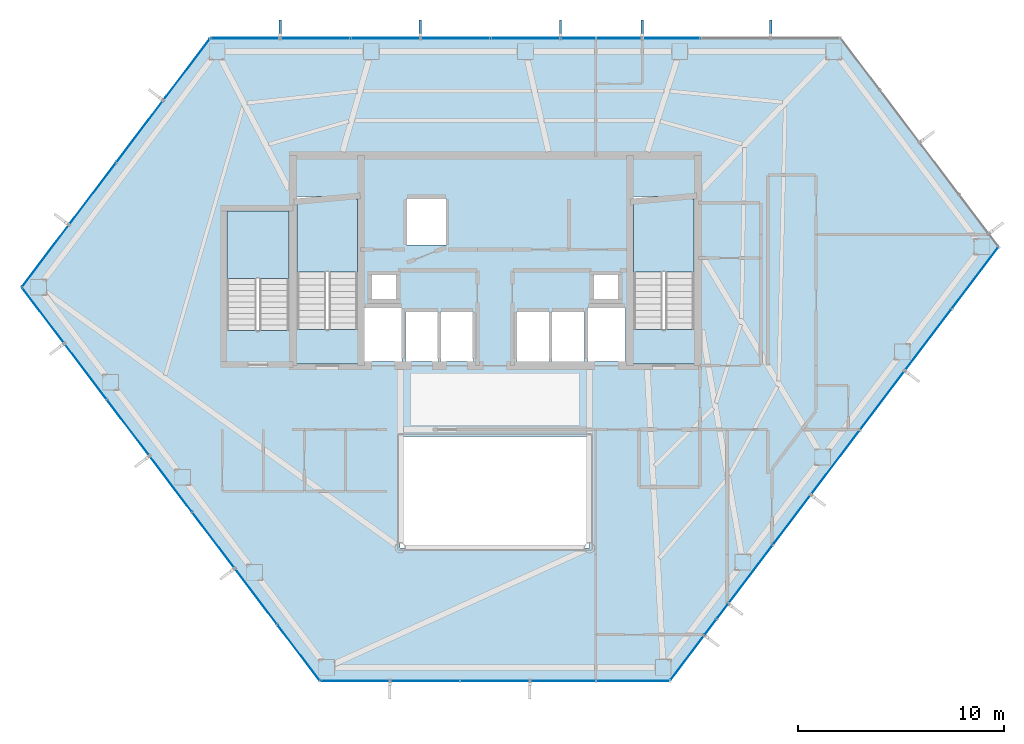
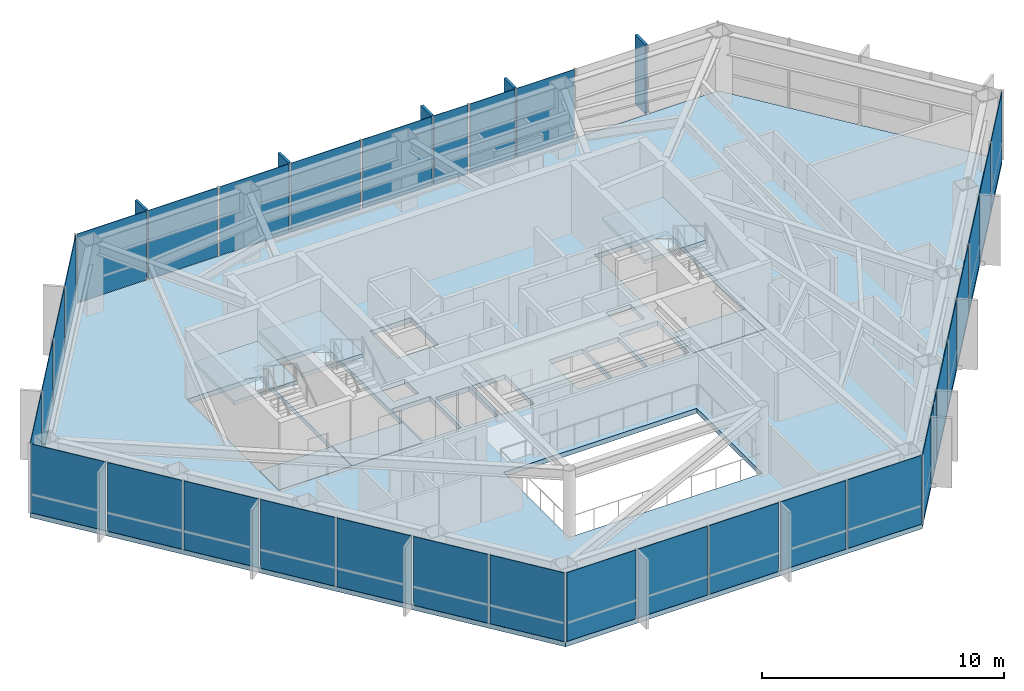
# One storey, part 24 of 29: 33 plates, 7 slabs, 5 members, 8 elements without a shape of their own.
"""IFC4 building model written with IfcOpenShell, lengths in metres."""

import ifcopenshell
import ifcopenshell.guid

model = None  # the IFC model being written
_history = None  # IfcOwnerHistory: only IFC2X3 demands one
_inside = {}  # id of a spatial element -> (the spatial element, [elements in it])
_under = {}  # id of a project, library or spatial element -> (it, [spatial elements below it])
_declared = {}  # id of a project -> (the project, [libraries it declares])
_typed = {}  # id of a type object -> (the type object, [elements of that type])
_made_of = {}  # id of a material, layer set ... -> (it, [elements and type objects made of it])


def new_model(schema):
    """Start an empty IFC model of exactly this schema.

    Asked for "IFC4X3", IfcOpenShell would pick the latest addendum, in which some entities
    have other attributes; the version numbers below select the first issue.
    IFC2X3 requires an IfcOwnerHistory on every rooted entity: one is made here for all.
    """
    global model, _history
    if schema == "IFC4X3":
        model = ifcopenshell.file(schema_version=(4, 3, 0, 0))
    else:
        model = ifcopenshell.file(schema=schema)
    _inside.clear()
    _under.clear()
    _declared.clear()
    _typed.clear()
    _made_of.clear()
    _history = None
    if model.schema == "IFC2X3":
        org = make("IfcOrganization", Name="unknown")
        user = make(
            "IfcPersonAndOrganization",
            ThePerson=make("IfcPerson", FamilyName="unknown"),
            TheOrganization=org,
        )
        app = make(
            "IfcApplication",
            ApplicationDeveloper=org,
            Version="unknown",
            ApplicationFullName="unknown",
            ApplicationIdentifier="unknown",
        )
        _history = make(
            "IfcOwnerHistory",
            OwningUser=user,
            OwningApplication=app,
            ChangeAction="ADDED",
            CreationDate=0,
        )
    return model


def make(cls, **values):
    """One entity of the class cls with the attributes given. An attribute that is None is left unset."""
    return model.create_entity(
        cls, **{name: value for name, value in values.items() if value is not None}
    )


def rooted(cls, **values):
    """An entity with a GlobalId (a new one), such as an element, a storey or a relation."""
    return make(cls, GlobalId=ifcopenshell.guid.new(), OwnerHistory=_history, **values)


def si_unit(unit_type, name, prefix=None):
    """IfcSIUnit, for example si_unit("LENGTHUNIT", "METRE", prefix="MILLI")."""
    return make("IfcSIUnit", UnitType=unit_type, Prefix=prefix, Name=name)


def assignment(units):
    """IfcUnitAssignment: the units of a project."""
    return None if units is None else make("IfcUnitAssignment", Units=units)


def point(xyz):
    """IfcCartesianPoint."""
    return None if xyz is None else make("IfcCartesianPoint", Coordinates=xyz)


def direction(xyz):
    """IfcDirection."""
    return None if xyz is None else make("IfcDirection", DirectionRatios=xyz)


def frame(location, z_axis=None, x_axis=None):
    """IfcAxis2Placement3D, a coordinate frame: its origin and axes. An axis left out is left unset."""
    return make(
        "IfcAxis2Placement3D",
        Location=point(location),
        Axis=direction(z_axis),
        RefDirection=direction(x_axis),
    )


def frame_2d(location, x_axis=None):
    """IfcAxis2Placement2D, a coordinate frame in the plane: its origin and x axis."""
    return make(
        "IfcAxis2Placement2D", Location=point(location), RefDirection=direction(x_axis)
    )


def origin():
    """The frame at (0, 0, 0) with its axes left unset."""
    return frame((0.0, 0.0, 0.0))


def origin_2d():
    """The frame at (0, 0) in the plane with its x axis left unset."""
    return frame_2d((0.0, 0.0))


def place(relative_to, where):
    """IfcLocalPlacement: puts the frame where relative to a parent placement (None: the world)."""
    return make(
        "IfcLocalPlacement", PlacementRelTo=relative_to, RelativePlacement=where
    )


def context(
    kind, dimensions, precision=None, world=None, true_north=None, identifier=None
):
    """IfcGeometricRepresentationContext, for example the 3D "Model" context."""
    return make(
        "IfcGeometricRepresentationContext",
        ContextIdentifier=identifier,
        ContextType=kind,
        CoordinateSpaceDimension=dimensions,
        Precision=precision,
        WorldCoordinateSystem=world,
        TrueNorth=true_north,
    )


def subcontext(parent, identifier, kind, view, scale=None):
    """IfcGeometricRepresentationSubContext, for example "Body" below "Model"."""
    return make(
        "IfcGeometricRepresentationSubContext",
        ContextIdentifier=identifier,
        ContextType=kind,
        ParentContext=parent,
        TargetScale=scale,
        TargetView=view,
    )


def project(units=None, contexts=None):
    """IfcProject with its units and contexts."""
    return rooted(
        "IfcProject",
        Name="project",
        RepresentationContexts=contexts,
        UnitsInContext=assignment(units),
    )


def spatial(cls, under=None, at=None, **own):
    """A site, building, storey or space (cls), placed at a placement, below another one or the project."""
    s = rooted(cls, ObjectPlacement=at, **own)
    if under is not None:
        _under.setdefault(under.id(), (under, []))[1].append(s)
    return s


def polyline(points):
    """IfcPolyline through the points."""
    return make("IfcPolyline", Points=[point(p) for p in points])


def profile(cls, at=None, kind="AREA", **sizes):
    """A parametric profile (cls). Its sizes go by their IFC names, for example OverallWidth=200.0."""
    return make(cls, ProfileType=kind, Position=at, **sizes)


def rectangle(**sizes):
    """IfcRectangleProfileDef."""
    return profile("IfcRectangleProfileDef", **sizes)


def outline(outer, holes=None, kind="AREA"):
    """IfcArbitraryClosedProfileDef: a profile drawn as a closed curve; with holes, ...WithVoids."""
    if holes is None:
        return make("IfcArbitraryClosedProfileDef", ProfileType=kind, OuterCurve=outer)
    return make(
        "IfcArbitraryProfileDefWithVoids",
        ProfileType=kind,
        OuterCurve=outer,
        InnerCurves=holes,
    )


def extrude(swept, where, along, depth):
    """IfcExtrudedAreaSolid: the profile swept, set in the frame where, extruded along a direction by depth."""
    return make(
        "IfcExtrudedAreaSolid",
        SweptArea=swept,
        Position=where,
        ExtrudedDirection=direction(along),
        Depth=depth,
    )


def shape(context_of_items, identifier, shape_type, items):
    """IfcShapeRepresentation: the items that make up one representation, for example the "Body"."""
    return make(
        "IfcShapeRepresentation",
        ContextOfItems=context_of_items,
        RepresentationIdentifier=identifier,
        RepresentationType=shape_type,
        Items=items,
    )


def material(Name=None, Category=None):
    """IfcMaterial."""
    return make("IfcMaterial", Name=Name, Category=Category)


def layer(
    of_material, thickness, ventilated=None, Name=None, Category=None, Priority=None
):
    """IfcMaterialLayer: one layer of a wall or slab, of a material (None: an air gap)."""
    return make(
        "IfcMaterialLayer",
        Material=of_material,
        LayerThickness=thickness,
        IsVentilated=ventilated,
        Name=Name,
        Category=Category,
        Priority=Priority,
    )


def layer_set(layers, Name=None):
    """IfcMaterialLayerSet."""
    return make("IfcMaterialLayerSet", MaterialLayers=layers, LayerSetName=Name)


def material_profile(
    of_material, cross_section, Name=None, Category=None, Priority=None
):
    """IfcMaterialProfile: a cross section and its material."""
    return make(
        "IfcMaterialProfile",
        Name=Name,
        Material=of_material,
        Profile=cross_section,
        Priority=Priority,
        Category=Category,
    )


def profile_set(profiles, Name=None, composite=None):
    """IfcMaterialProfileSet."""
    return make(
        "IfcMaterialProfileSet",
        Name=Name,
        MaterialProfiles=profiles,
        CompositeProfile=composite,
    )


def made_of(thing, what):
    """Note that an element or type object is made of a material, layer set ...; save() writes the relation."""
    if what is not None:
        _made_of.setdefault(what.id(), (what, []))[1].append(thing)
    return thing


def type_object(cls, material=None, **own):
    """A type object (cls), such as IfcWallType, which elements share."""
    return made_of(rooted(cls, **own), material)


def element(
    cls,
    number,
    at=None,
    inside=None,
    cuts=None,
    type_object=None,
    material=None,
    context=None,
    identifier="Body",
    shape_type=None,
    held_by="IfcProductDefinitionShape",
    body=None,
    shapes=None,
    **own,
):
    """One element of the class cls, such as IfcWall. Its Tag is "e" and its number.

    at: its placement. inside: the storey or other place that contains it. cuts: it is an
    opening in that element (IfcRelVoidsElement). A single representation is given by context,
    identifier, shape_type and body (its items); several are given by shapes. held_by: the class
    of the entity that holds the representations. save() writes the other relations.
    """
    e = rooted(cls, Tag="e%d" % number, ObjectPlacement=at, **own)
    if body is not None:
        shapes = [shape(context, identifier, shape_type, body)]
    if shapes is not None:
        e.Representation = make(held_by, Representations=shapes)
    if inside is not None:
        _inside.setdefault(inside.id(), (inside, []))[1].append(e)
    if cuts is not None:
        rooted(
            "IfcRelVoidsElement", RelatingBuildingElement=cuts, RelatedOpeningElement=e
        )
    if type_object is not None:
        _typed.setdefault(type_object.id(), (type_object, []))[1].append(e)
    return made_of(e, material)


def aggregate(whole, parts):
    """IfcRelAggregates: a whole, such as a stair, and the parts it consists of."""
    return rooted("IfcRelAggregates", RelatingObject=whole, RelatedObjects=parts)


def save(model, path):
    """Write the relations noted so far, then the file.

    IfcRelAggregates (storeys below a building ...), IfcRelContainedInSpatialStructure (elements
    in a storey), IfcRelDefinesByType, IfcRelAssociatesMaterial and IfcRelDeclares: one each for
    every whole, place, type object, material and project.
    """
    for whole, parts in _under.values():
        aggregate(whole, parts)
    for where, things in _inside.values():
        rooted(
            "IfcRelContainedInSpatialStructure",
            RelatedElements=things,
            RelatingStructure=where,
        )
    for kind, things in _typed.values():
        rooted("IfcRelDefinesByType", RelatedObjects=things, RelatingType=kind)
    for what, things in _made_of.values():
        rooted("IfcRelAssociatesMaterial", RelatedObjects=things, RelatingMaterial=what)
    for by, libraries in _declared.values():
        rooted("IfcRelDeclares", RelatingContext=by, RelatedDefinitions=libraries)
    model.write(path)


model = new_model("IFC4")

# Units and contexts
model_context = context("Model", 3, precision=1e-05, world=origin(), true_north=direction((0.0, 1.0)))
body_context = subcontext(model_context, "Body", "Model", "MODEL_VIEW")
ifc_project = project(units=[si_unit("LENGTHUNIT", "METRE"), si_unit("AREAUNIT", "SQUARE_METRE"), si_unit("VOLUMEUNIT", "CUBIC_METRE"), si_unit("PLANEANGLEUNIT", "RADIAN"), si_unit("MASSUNIT", "GRAM", prefix="KILO")], contexts=[model_context])

# Site, building, storey
site_placement = place(None, origin())
site = spatial("IfcSite", under=ifc_project, at=site_placement, CompositionType="ELEMENT")
building_placement = place(site_placement, origin())
building = spatial("IfcBuilding", under=site, at=building_placement, Name="Zarrinselat Tower", CompositionType="ELEMENT")
storey_placement = place(building_placement, frame((0.0, 0.0, 134.639892578125)))
storey = spatial("IfcBuildingStorey", under=building, at=storey_placement, Name="L32", CompositionType="ELEMENT", Elevation=134.639892578125)

# Curtain wall, members, plates
ifc_material_1 = material(Name="Extruded Aluminium Alloy EN AW-6063 T6", Category="aluminium")
ifc_layer_1 = layer(ifc_material_1, 0.175048828125)
ifc_layer_set_1 = layer_set([ifc_layer_1], Name="Extruded Aluminium Alloy EN AW-6063 T6")
curtain_wall_type = type_object("IfcCurtainWallType", Name="CWS-HTL", PredefinedType="NOTDEFINED", material=ifc_layer_set_1)
curtain_wall_1_placement = place(storey_placement, origin())
curtain_wall_1 = element("IfcCurtainWall", 1, at=curtain_wall_1_placement, inside=storey, type_object=curtain_wall_type, Name="L32 Unitised Curtain Wall CW-L32-E01", PredefinedType="NOTDEFINED")
ifc_material_2 = material(Name="Honed Cream Travertine Stone", Category="masonry")
ifc_material_profile = material_profile(ifc_material_2, rectangle(XDim=0.1201171875, YDim=0.85009765625, at=origin_2d()), Name="FIN 850x120")
ifc_profile_set = profile_set([ifc_material_profile], Name="Honed Cream Travertine Stone")
member_type = type_object("IfcMemberType", Name="MEM-STONE-FIN", PredefinedType="USERDEFINED", material=ifc_profile_set)
member_1_placement = place(storey_placement, frame((51.787353515625, 49.610107421875, 0.0), z_axis=(0.0, 0.0, 1.0), x_axis=(1.0, 0.0, 0.0)))
member_1 = element("IfcMember", 2, at=member_1_placement, type_object=member_type, Name="L32 Stone Shading Fin CW-L32-E01-01", ObjectType="FIN", PredefinedType="USERDEFINED", context=body_context, shape_type="SweptSolid", body=[
    extrude(rectangle(XDim=0.1201171875, YDim=0.85009765625, at=origin_2d()), origin(), (0.0, 0.0, 1.0), 3.5),
])
member_2_placement = place(storey_placement, frame((45.550048828125, 49.610107421875, 0.0), z_axis=(0.0, 0.0, 1.0), x_axis=(1.0, 0.0, 0.0)))
member_2 = element("IfcMember", 3, at=member_2_placement, type_object=member_type, Name="L32 Stone Shading Fin CW-L32-E01-03", ObjectType="FIN", PredefinedType="USERDEFINED", context=body_context, shape_type="SweptSolid", body=[
    extrude(rectangle(XDim=0.1201171875, YDim=0.85009765625, at=origin_2d()), origin(), (0.0, 0.0, 1.0), 3.5),
])
member_3_placement = place(storey_placement, frame((41.585205078125, 49.610107421875, 0.0), z_axis=(0.0, 0.0, 1.0), x_axis=(1.0, 0.0, 0.0)))
member_3 = element("IfcMember", 4, at=member_3_placement, type_object=member_type, Name="L32 Stone Shading Fin CW-L32-E01-05", ObjectType="FIN", PredefinedType="USERDEFINED", context=body_context, shape_type="SweptSolid", body=[
    extrude(rectangle(XDim=0.1201171875, YDim=0.85009765625, at=origin_2d()), origin(), (0.0, 0.0, 1.0), 3.5),
])
member_4_placement = place(storey_placement, frame((34.78369140625, 49.610107421875, 0.0), z_axis=(0.0, 0.0, 1.0), x_axis=(1.0, 0.0, 0.0)))
member_4 = element("IfcMember", 5, at=member_4_placement, type_object=member_type, Name="L32 Stone Shading Fin CW-L32-E01-07", ObjectType="FIN", PredefinedType="USERDEFINED", context=body_context, shape_type="SweptSolid", body=[
    extrude(rectangle(XDim=0.1201171875, YDim=0.85009765625, at=origin_2d()), origin(), (0.0, 0.0, 1.0), 3.5),
])
member_5_placement = place(storey_placement, frame((27.982177734375, 49.610107421875, 0.0), z_axis=(0.0, 0.0, 1.0), x_axis=(1.0, 0.0, 0.0)))
member_5 = element("IfcMember", 6, at=member_5_placement, type_object=member_type, Name="L32 Stone Shading Fin CW-L32-E01-09", ObjectType="FIN", PredefinedType="USERDEFINED", context=body_context, shape_type="SweptSolid", body=[
    extrude(rectangle(XDim=0.1201171875, YDim=0.85009765625, at=origin_2d()), origin(), (0.0, 0.0, 1.0), 3.5),
])
ifc_material_3 = material(Name="Double Low-E Laminated Solar Glass", Category="glass")
ifc_layer_2 = layer(ifc_material_3, 0.028076171875)
ifc_layer_set_2 = layer_set([ifc_layer_2], Name="Double Low-E Laminated Solar Glass")
plate_type = type_object("IfcPlateType", Name="PLT-CW-GL28", PredefinedType="CURTAIN_PANEL", material=ifc_layer_set_2)
plate_1_placement = place(storey_placement, frame((46.96826171875, 49.14990234375, 0.02001953125), z_axis=(0.0, 0.0, 1.0), x_axis=(-1.0, 0.0, 0.0)))
plate_1 = element("IfcPlate", 7, at=plate_1_placement, type_object=plate_type, Name="CW-L32-E01 Vision Glass Panel 3", PredefinedType="CURTAIN_PANEL", context=body_context, shape_type="SweptSolid", body=[
    extrude(rectangle(XDim=2.736572265625, YDim=0.028076171875, at=origin_2d()), origin(), (0.0, 0.0, 1.0), 3.4599609375),
])
plate_2_placement = place(storey_placement, frame((44.425048828125, 49.14990234375, 0.02001953125), z_axis=(0.0, 0.0, 1.0), x_axis=(-1.0, 0.0, 0.0)))
plate_2 = element("IfcPlate", 8, at=plate_2_placement, type_object=plate_type, Name="CW-L32-E01 Vision Glass Panel 4", PredefinedType="CURTAIN_PANEL", context=body_context, shape_type="SweptSolid", body=[
    extrude(rectangle(XDim=2.14990234375, YDim=0.028076171875, at=origin_2d()), origin(), (0.0, 0.0, 1.0), 3.4599609375),
])
plate_3_placement = place(storey_placement, frame((42.4423828125, 49.14990234375, 0.02001953125), z_axis=(0.0, 0.0, 1.0), x_axis=(-1.0, 0.0, 0.0)))
plate_3 = element("IfcPlate", 9, at=plate_3_placement, type_object=plate_type, Name="CW-L32-E01 Vision Glass Panel 5", PredefinedType="CURTAIN_PANEL", context=body_context, shape_type="SweptSolid", body=[
    extrude(rectangle(XDim=1.614990234375, YDim=0.028076171875, at=origin_2d()), origin(), (0.0, 0.0, 1.0), 3.4599609375),
])
plate_4_placement = place(storey_placement, frame((39.884765625, 49.14990234375, 0.02001953125), z_axis=(0.0, 0.0, 1.0), x_axis=(-1.0, 0.0, 0.0)))
plate_4 = element("IfcPlate", 10, at=plate_4_placement, type_object=plate_type, Name="CW-L32-E01 Vision Glass Panel 6", PredefinedType="CURTAIN_PANEL", context=body_context, shape_type="SweptSolid", body=[
    extrude(rectangle(XDim=3.30078125, YDim=0.028076171875, at=origin_2d()), origin(), (0.0, 0.0, 1.0), 3.4599609375),
])
plate_5_placement = place(storey_placement, frame((36.48388671875, 49.14990234375, 0.02001953125), z_axis=(0.0, 0.0, 1.0), x_axis=(-1.0, 0.0, 0.0)))
plate_5 = element("IfcPlate", 11, at=plate_5_placement, type_object=plate_type, Name="CW-L32-E01 Vision Glass Panel 7", PredefinedType="CURTAIN_PANEL", context=body_context, shape_type="SweptSolid", body=[
    extrude(rectangle(XDim=3.30078125, YDim=0.028076171875, at=origin_2d()), origin(), (0.0, 0.0, 1.0), 3.4599609375),
])
plate_6_placement = place(storey_placement, frame((33.083251953125, 49.14990234375, 0.02001953125), z_axis=(0.0, 0.0, 1.0), x_axis=(-1.0, 0.0, 0.0)))
plate_6 = element("IfcPlate", 12, at=plate_6_placement, type_object=plate_type, Name="CW-L32-E01 Vision Glass Panel 8", PredefinedType="CURTAIN_PANEL", context=body_context, shape_type="SweptSolid", body=[
    extrude(rectangle(XDim=3.30078125, YDim=0.028076171875, at=origin_2d()), origin(), (0.0, 0.0, 1.0), 3.4599609375),
])
plate_7_placement = place(storey_placement, frame((29.6826171875, 49.14990234375, 0.02001953125), z_axis=(0.0, 0.0, 1.0), x_axis=(-1.0, 0.0, 0.0)))
plate_7 = element("IfcPlate", 13, at=plate_7_placement, type_object=plate_type, Name="CW-L32-E01 Vision Glass Panel 9", PredefinedType="CURTAIN_PANEL", context=body_context, shape_type="SweptSolid", body=[
    extrude(rectangle(XDim=3.30078125, YDim=0.028076171875, at=origin_2d()), origin(), (0.0, 0.0, 1.0), 3.4599609375),
])
plate_8_placement = place(storey_placement, frame((26.28173828125, 49.14990234375, 0.02001953125), z_axis=(0.0, 0.0, 1.0), x_axis=(-1.0, 0.0, 0.0)))
plate_8 = element("IfcPlate", 14, at=plate_8_placement, type_object=plate_type, Name="CW-L32-E01 Vision Glass Panel 10", PredefinedType="CURTAIN_PANEL", context=body_context, shape_type="SweptSolid", body=[
    extrude(rectangle(XDim=3.30078125, YDim=0.028076171875, at=origin_2d()), origin(), (0.0, 0.0, 1.0), 3.4599609375),
])
aggregate(curtain_wall_1, [member_1, member_2, member_3, member_4, member_5, plate_1, plate_2, plate_3, plate_4, plate_5, plate_6, plate_7, plate_8])

# Curtain wall, plates
curtain_wall_2_placement = place(storey_placement, origin())
curtain_wall_2 = element("IfcCurtainWall", 15, at=curtain_wall_2_placement, inside=storey, type_object=curtain_wall_type, Name="L32 Unitised Curtain Wall CW-L32-E02", PredefinedType="NOTDEFINED")
plate_9_placement = place(storey_placement, frame((23.4365234375, 47.638916015625, 0.02001953125), z_axis=(0.0, 0.0, 1.0), x_axis=(-0.603859211262, -0.797090994162, 0.0)))
plate_9 = element("IfcPlate", 16, at=plate_9_placement, type_object=plate_type, Name="CW-L32-E02 Vision Glass Panel 1", PredefinedType="CURTAIN_PANEL", context=body_context, shape_type="SweptSolid", body=[
    extrude(rectangle(XDim=3.69189453125, YDim=0.028076171875, at=origin_2d()), origin(), (0.0, 0.0, 1.0), 3.4599609375),
])
plate_10_placement = place(storey_placement, frame((21.146728515625, 44.616455078125, 0.02001953125), z_axis=(0.0, 0.0, 1.0), x_axis=(-0.603859211262, -0.797090994162, 0.0)))
plate_10 = element("IfcPlate", 17, at=plate_10_placement, type_object=plate_type, Name="CW-L32-E02 Vision Glass Panel 2", PredefinedType="CURTAIN_PANEL", context=body_context, shape_type="SweptSolid", body=[
    extrude(rectangle(XDim=3.69189453125, YDim=0.028076171875, at=origin_2d()), origin(), (0.0, 0.0, 1.0), 3.4599609375),
])
plate_11_placement = place(storey_placement, frame((18.857177734375, 41.593994140625, 0.02001953125), z_axis=(0.0, 0.0, 1.0), x_axis=(-0.603859211262, -0.797090994162, 0.0)))
plate_11 = element("IfcPlate", 18, at=plate_11_placement, type_object=plate_type, Name="CW-L32-E02 Vision Glass Panel 3", PredefinedType="CURTAIN_PANEL", context=body_context, shape_type="SweptSolid", body=[
    extrude(rectangle(XDim=3.69189453125, YDim=0.028076171875, at=origin_2d()), origin(), (0.0, 0.0, 1.0), 3.4599609375),
])
plate_12_placement = place(storey_placement, frame((16.5673828125, 38.571533203125, 0.02001953125), z_axis=(0.0, 0.0, 1.0), x_axis=(-0.603859211262, -0.797090994162, 0.0)))
plate_12 = element("IfcPlate", 19, at=plate_12_placement, type_object=plate_type, Name="CW-L32-E02 Vision Glass Panel 4", PredefinedType="CURTAIN_PANEL", context=body_context, shape_type="SweptSolid", body=[
    extrude(rectangle(XDim=3.69189453125, YDim=0.028076171875, at=origin_2d()), origin(), (0.0, 0.0, 1.0), 3.4599609375),
])
aggregate(curtain_wall_2, [plate_9, plate_10, plate_11, plate_12])

curtain_wall_3_placement = place(storey_placement, origin())
curtain_wall_3 = element("IfcCurtainWall", 20, at=curtain_wall_3_placement, inside=storey, type_object=curtain_wall_type, Name="L32 Unitised Curtain Wall CW-L32-E03", PredefinedType="NOTDEFINED")
plate_13_placement = place(storey_placement, frame((16.456787109375, 35.695068359375, 0.02001953125), z_axis=(0.0, 0.0, 1.0), x_axis=(0.603855520216, -0.797093790407, 0.0)))
plate_13 = element("IfcPlate", 21, at=plate_13_placement, type_object=plate_type, Name="CW-L32-E03 Vision Glass Panel 1", PredefinedType="CURTAIN_PANEL", context=body_context, shape_type="SweptSolid", body=[
    extrude(rectangle(XDim=3.32568359375, YDim=0.028076171875, at=origin_2d()), origin(), (0.0, 0.0, 1.0), 3.4599609375),
])
plate_14_placement = place(storey_placement, frame((18.525390625, 32.96435546875, 0.02001953125), z_axis=(0.0, 0.0, 1.0), x_axis=(0.603855520216, -0.797093790407, 0.0)))
plate_14 = element("IfcPlate", 22, at=plate_14_placement, type_object=plate_type, Name="CW-L32-E03 Vision Glass Panel 2", PredefinedType="CURTAIN_PANEL", context=body_context, shape_type="SweptSolid", body=[
    extrude(rectangle(XDim=3.32568359375, YDim=0.028076171875, at=origin_2d()), origin(), (0.0, 0.0, 1.0), 3.4599609375),
])
plate_15_placement = place(storey_placement, frame((20.593994140625, 30.233642578125, 0.02001953125), z_axis=(0.0, 0.0, 1.0), x_axis=(0.603855520216, -0.797093790407, 0.0)))
plate_15 = element("IfcPlate", 23, at=plate_15_placement, type_object=plate_type, Name="CW-L32-E03 Vision Glass Panel 3", PredefinedType="CURTAIN_PANEL", context=body_context, shape_type="SweptSolid", body=[
    extrude(rectangle(XDim=3.32568359375, YDim=0.028076171875, at=origin_2d()), origin(), (0.0, 0.0, 1.0), 3.4599609375),
])
plate_16_placement = place(storey_placement, frame((22.662841796875, 27.5029296875, 0.02001953125), z_axis=(0.0, 0.0, 1.0), x_axis=(0.603855520216, -0.797093790407, 0.0)))
plate_16 = element("IfcPlate", 24, at=plate_16_placement, type_object=plate_type, Name="CW-L32-E03 Vision Glass Panel 4", PredefinedType="CURTAIN_PANEL", context=body_context, shape_type="SweptSolid", body=[
    extrude(rectangle(XDim=3.32568359375, YDim=0.028076171875, at=origin_2d()), origin(), (0.0, 0.0, 1.0), 3.4599609375),
])
plate_17_placement = place(storey_placement, frame((24.7314453125, 24.7724609375, 0.02001953125), z_axis=(0.0, 0.0, 1.0), x_axis=(0.603855520216, -0.797093790407, 0.0)))
plate_17 = element("IfcPlate", 25, at=plate_17_placement, type_object=plate_type, Name="CW-L32-E03 Vision Glass Panel 5", PredefinedType="CURTAIN_PANEL", context=body_context, shape_type="SweptSolid", body=[
    extrude(rectangle(XDim=3.32568359375, YDim=0.028076171875, at=origin_2d()), origin(), (0.0, 0.0, 1.0), 3.4599609375),
])
plate_18_placement = place(storey_placement, frame((26.800048828125, 22.041748046875, 0.02001953125), z_axis=(0.0, 0.0, 1.0), x_axis=(0.603855520216, -0.797093790407, 0.0)))
plate_18 = element("IfcPlate", 26, at=plate_18_placement, type_object=plate_type, Name="CW-L32-E03 Vision Glass Panel 6", PredefinedType="CURTAIN_PANEL", context=body_context, shape_type="SweptSolid", body=[
    extrude(rectangle(XDim=3.32568359375, YDim=0.028076171875, at=origin_2d()), origin(), (0.0, 0.0, 1.0), 3.4599609375),
])
plate_19_placement = place(storey_placement, frame((28.868896484375, 19.31103515625, 0.02001953125), z_axis=(0.0, 0.0, 1.0), x_axis=(0.603855520216, -0.797093790407, 0.0)))
plate_19 = element("IfcPlate", 27, at=plate_19_placement, type_object=plate_type, Name="CW-L32-E03 Vision Glass Panel 7", PredefinedType="CURTAIN_PANEL", context=body_context, shape_type="SweptSolid", body=[
    extrude(rectangle(XDim=3.32568359375, YDim=0.028076171875, at=origin_2d()), origin(), (0.0, 0.0, 1.0), 3.4599609375),
])
aggregate(curtain_wall_3, [plate_13, plate_14, plate_15, plate_16, plate_17, plate_18, plate_19])

curtain_wall_4_placement = place(storey_placement, origin())
curtain_wall_4 = element("IfcCurtainWall", 28, at=curtain_wall_4_placement, inside=storey, type_object=curtain_wall_type, Name="L32 Unitised Curtain Wall CW-L32-E04", PredefinedType="NOTDEFINED")
plate_20_placement = place(storey_placement, frame((31.6025390625, 17.94580078125, 0.02001953125), z_axis=(0.0, 0.0, 1.0), x_axis=(1.0, 0.0, 0.0)))
plate_20 = element("IfcPlate", 29, at=plate_20_placement, type_object=plate_type, Name="CW-L32-E04 Vision Glass Panel 1", PredefinedType="CURTAIN_PANEL", context=body_context, shape_type="SweptSolid", body=[
    extrude(rectangle(XDim=3.298828125, YDim=0.028076171875, at=origin_2d()), origin(), (0.0, 0.0, 1.0), 3.4599609375),
])
plate_21_placement = place(storey_placement, frame((35.001220703125, 17.94580078125, 0.02001953125), z_axis=(0.0, 0.0, 1.0), x_axis=(1.0, 0.0, 0.0)))
plate_21 = element("IfcPlate", 30, at=plate_21_placement, type_object=plate_type, Name="CW-L32-E04 Vision Glass Panel 2", PredefinedType="CURTAIN_PANEL", context=body_context, shape_type="SweptSolid", body=[
    extrude(rectangle(XDim=3.298828125, YDim=0.028076171875, at=origin_2d()), origin(), (0.0, 0.0, 1.0), 3.4599609375),
])
plate_22_placement = place(storey_placement, frame((38.39990234375, 17.94580078125, 0.02001953125), z_axis=(0.0, 0.0, 1.0), x_axis=(1.0, 0.0, 0.0)))
plate_22 = element("IfcPlate", 31, at=plate_22_placement, type_object=plate_type, Name="CW-L32-E04 Vision Glass Panel 3", PredefinedType="CURTAIN_PANEL", context=body_context, shape_type="SweptSolid", body=[
    extrude(rectangle(XDim=3.298828125, YDim=0.028076171875, at=origin_2d()), origin(), (0.0, 0.0, 1.0), 3.4599609375),
])
plate_23_placement = place(storey_placement, frame((41.69970703125, 17.94580078125, 0.02001953125), z_axis=(0.0, 0.0, 1.0), x_axis=(1.0, 0.0, 0.0)))
plate_23 = element("IfcPlate", 32, at=plate_23_placement, type_object=plate_type, Name="CW-L32-E04 Vision Glass Panel 4", PredefinedType="CURTAIN_PANEL", context=body_context, shape_type="SweptSolid", body=[
    extrude(rectangle(XDim=3.1005859375, YDim=0.028076171875, at=origin_2d()), origin(), (0.0, 0.0, 1.0), 3.4599609375),
])
plate_24_placement = place(storey_placement, frame((45.098388671875, 17.94580078125, 0.02001953125), z_axis=(0.0, 0.0, 1.0), x_axis=(1.0, 0.0, 0.0)))
plate_24 = element("IfcPlate", 33, at=plate_24_placement, type_object=plate_type, Name="CW-L32-E04 Vision Glass Panel 5", PredefinedType="CURTAIN_PANEL", context=body_context, shape_type="SweptSolid", body=[
    extrude(rectangle(XDim=3.496826171875, YDim=0.028076171875, at=origin_2d()), origin(), (0.0, 0.0, 1.0), 3.4599609375),
])
aggregate(curtain_wall_4, [plate_20, plate_21, plate_22, plate_23, plate_24])

curtain_wall_5_placement = place(storey_placement, origin())
curtain_wall_5 = element("IfcCurtainWall", 34, at=curtain_wall_5_placement, inside=storey, type_object=curtain_wall_type, Name="L32 Unitised Curtain Wall CW-L32-E05", PredefinedType="NOTDEFINED")
plate_25_placement = place(storey_placement, frame((47.73388671875, 19.05078125, 0.02001953125), z_axis=(0.0, 0.0, 1.0), x_axis=(0.603855794642, 0.797093582509, 0.0)))
plate_25 = element("IfcPlate", 35, at=plate_25_placement, type_object=plate_type, Name="CW-L32-E05 Vision Glass Panel 1", PredefinedType="CURTAIN_PANEL", context=body_context, shape_type="SweptSolid", body=[
    extrude(rectangle(XDim=2.67236328125, YDim=0.028076171875, at=origin_2d()), origin(), (0.0, 0.0, 1.0), 3.4599609375),
])
plate_26_placement = place(storey_placement, frame((48.874267578125, 20.555908203125, 0.02001953125), z_axis=(0.0, 0.0, 1.0), x_axis=(0.603855794642, 0.797093582509, 0.0)))
plate_26 = element("IfcPlate", 36, at=plate_26_placement, type_object=plate_type, Name="CW-L32-E05 Vision Glass Panel 2", PredefinedType="CURTAIN_PANEL", context=body_context, shape_type="SweptSolid", body=[
    extrude(rectangle(XDim=0.90478515625, YDim=0.028076171875, at=origin_2d()), origin(), (0.0, 0.0, 1.0), 3.4599609375),
])
plate_27_placement = place(storey_placement, frame((49.45458984375, 21.322021484375, 0.02001953125), z_axis=(0.0, 0.0, 1.0), x_axis=(0.603855794642, 0.797093582509, 0.0)))
plate_27 = element("IfcPlate", 37, at=plate_27_placement, type_object=plate_type, Name="CW-L32-E05 Vision Glass Panel 3", PredefinedType="CURTAIN_PANEL", context=body_context, shape_type="SweptSolid", body=[
    extrude(rectangle(XDim=0.81689453125, YDim=0.028076171875, at=origin_2d()), origin(), (0.0, 0.0, 1.0), 3.4599609375),
])
plate_28_placement = place(storey_placement, frame((50.816650390625, 23.119873046875, 0.02001953125), z_axis=(0.0, 0.0, 1.0), x_axis=(0.603855794642, 0.797093582509, 0.0)))
plate_28 = element("IfcPlate", 38, at=plate_28_placement, type_object=plate_type, Name="CW-L32-E05 Vision Glass Panel 4", PredefinedType="CURTAIN_PANEL", context=body_context, shape_type="SweptSolid", body=[
    extrude(rectangle(XDim=3.494384765625, YDim=0.028076171875, at=origin_2d()), origin(), (0.0, 0.0, 1.0), 3.4599609375),
])
plate_29_placement = place(storey_placement, frame((52.820556640625, 25.764892578125, 0.02001953125), z_axis=(0.0, 0.0, 1.0), x_axis=(0.603855794642, 0.797093582509, 0.0)))
plate_29 = element("IfcPlate", 39, at=plate_29_placement, type_object=plate_type, Name="CW-L32-E05 Vision Glass Panel 5", PredefinedType="CURTAIN_PANEL", context=body_context, shape_type="SweptSolid", body=[
    extrude(rectangle(XDim=2.942626953125, YDim=0.028076171875, at=origin_2d()), origin(), (0.0, 0.0, 1.0), 3.4599609375),
])
plate_30_placement = place(storey_placement, frame((54.927001953125, 28.545654296875, 0.02001953125), z_axis=(0.0, 0.0, 1.0), x_axis=(0.603855794642, 0.797093582509, 0.0)))
plate_30 = element("IfcPlate", 40, at=plate_30_placement, type_object=plate_type, Name="CW-L32-E05 Vision Glass Panel 6", PredefinedType="CURTAIN_PANEL", context=body_context, shape_type="SweptSolid", body=[
    extrude(rectangle(XDim=3.83447265625, YDim=0.028076171875, at=origin_2d()), origin(), (0.0, 0.0, 1.0), 3.4599609375),
])
plate_31_placement = place(storey_placement, frame((57.2080078125, 31.556396484375, 0.02001953125), z_axis=(0.0, 0.0, 1.0), x_axis=(0.603855794642, 0.797093582509, 0.0)))
plate_31 = element("IfcPlate", 41, at=plate_31_placement, type_object=plate_type, Name="CW-L32-E05 Vision Glass Panel 7", PredefinedType="CURTAIN_PANEL", context=body_context, shape_type="SweptSolid", body=[
    extrude(rectangle(XDim=3.51953125, YDim=0.028076171875, at=origin_2d()), origin(), (0.0, 0.0, 1.0), 3.4599609375),
])
plate_32_placement = place(storey_placement, frame((59.441162109375, 34.504150390625, 0.02001953125), z_axis=(0.0, 0.0, 1.0), x_axis=(0.603855794642, 0.797093582509, 0.0)))
plate_32 = element("IfcPlate", 42, at=plate_32_placement, type_object=plate_type, Name="CW-L32-E05 Vision Glass Panel 8", PredefinedType="CURTAIN_PANEL", context=body_context, shape_type="SweptSolid", body=[
    extrude(rectangle(XDim=3.677001953125, YDim=0.028076171875, at=origin_2d()), origin(), (0.0, 0.0, 1.0), 3.4599609375),
])
plate_33_placement = place(storey_placement, frame((61.7216796875, 37.514892578125, 0.02001953125), z_axis=(0.0, 0.0, 1.0), x_axis=(0.603855794642, 0.797093582509, 0.0)))
plate_33 = element("IfcPlate", 43, at=plate_33_placement, type_object=plate_type, Name="CW-L32-E05 Vision Glass Panel 9", PredefinedType="CURTAIN_PANEL", context=body_context, shape_type="SweptSolid", body=[
    extrude(rectangle(XDim=3.677001953125, YDim=0.028076171875, at=origin_2d()), origin(), (0.0, 0.0, 1.0), 3.4599609375),
])
aggregate(curtain_wall_5, [plate_25, plate_26, plate_27, plate_28, plate_29, plate_30, plate_31, plate_32, plate_33])

# Slabs
ifc_material_4 = material(Name="Concrete C40/50", Category="concrete")
ifc_layer_3 = layer(ifc_material_4, 0.239990234375)
ifc_layer_set_3 = layer_set([ifc_layer_3], Name="Concrete C40/50")
slab_type_1 = type_object("IfcSlabType", Name="SLB-FLOOR-240-SL-HT240", PredefinedType="FLOOR", material=ifc_layer_set_3)
slab_1_placement = place(storey_placement, frame((0.0, 0.0, -0.239990234375)))
element("IfcSlab", 44, at=slab_1_placement, inside=storey, type_object=slab_type_1, Name="L32 Primary Structural Slab", PredefinedType="FLOOR", context=body_context, shape_type="SweptSolid", body=[
    extrude(outline(polyline([(55.18798828125, 49.14990234375), (24.581298828125, 49.14990234375), (15.422607421875, 37.060302734375), (29.903076171875, 17.94580078125), (46.89697265625, 17.94580078125), (62.8623046875, 39.02001953125), (55.18798828125, 49.14990234375)]), holes=[polyline([(35.64990234375, 33.449951171875), (34.050048828125, 33.449951171875), (34.050048828125, 35.85009765625), (35.64990234375, 35.85009765625), (35.64990234375, 33.449951171875)]), polyline([(35.75, 33.449951171875), (35.75, 35.85009765625), (37.35009765625, 35.85009765625), (37.35009765625, 33.449951171875), (35.75, 33.449951171875)]), polyline([(32.06005859375, 33.449951171875), (32.06005859375, 36.050048828125), (33.89990234375, 36.050048828125), (33.89990234375, 33.449951171875), (32.06005859375, 33.449951171875)]), polyline([(33.60009765625, 36.47998046875), (32.419921875, 36.47998046875), (32.419921875, 37.639892578125), (33.60009765625, 37.639892578125), (33.60009765625, 36.47998046875)]), polyline([(28.594970703125, 33.324951171875), (25.114990234375, 33.324951171875), (25.114990234375, 40.875), (28.594970703125, 40.875), (28.594970703125, 33.324951171875)]), polyline([(31.985107421875, 33.324951171875), (28.60498046875, 33.324951171875), (28.60498046875, 41.47509765625), (31.985107421875, 41.47509765625), (31.985107421875, 33.324951171875)]), polyline([(36.050048828125, 39.10009765625), (34.10009765625, 39.10009765625), (34.10009765625, 41.35009765625), (36.050048828125, 41.35009765625), (36.050048828125, 39.10009765625)]), polyline([(33.800048828125, 24.39990234375), (33.800048828125, 29.800048828125), (43.0, 29.800048828125), (43.0, 24.39990234375), (33.800048828125, 24.39990234375)]), polyline([(39.449951171875, 33.449951171875), (39.449951171875, 35.85009765625), (41.050048828125, 35.85009765625), (41.050048828125, 33.449951171875), (39.449951171875, 33.449951171875)]), polyline([(41.14990234375, 33.449951171875), (41.14990234375, 35.85009765625), (42.75, 35.85009765625), (42.75, 33.449951171875), (41.14990234375, 33.449951171875)]), polyline([(42.89990234375, 33.449951171875), (42.89990234375, 36.050048828125), (44.739990234375, 36.050048828125), (44.739990234375, 33.449951171875), (42.89990234375, 33.449951171875)]), polyline([(43.199951171875, 36.47998046875), (43.199951171875, 37.639892578125), (44.3798828125, 37.639892578125), (44.3798828125, 36.47998046875), (43.199951171875, 36.47998046875)]), polyline([(48.324951171875, 33.324951171875), (44.875, 33.324951171875), (44.875, 41.47509765625), (48.324951171875, 41.47509765625), (48.324951171875, 33.324951171875)])]), origin(), (0.0, 0.0, 1.0), 0.239990234375),
])
slab_2_placement = place(storey_placement, frame((0.0, 0.0, -0.239990234375)))
element("IfcSlab", 45, at=slab_2_placement, inside=storey, type_object=slab_type_1, Name="L32 Stair ST-1-FL1 Structural Floor Landing", PredefinedType="FLOOR", context=body_context, shape_type="SweptSolid", body=[
    extrude(outline(polyline([(31.97998046875, 33.330078125), (31.97998046875, 35.0), (28.610107421875, 35.0), (28.610107421875, 33.330078125), (31.97998046875, 33.330078125)])), origin(), (0.0, 0.0, 1.0), 0.239990234375),
])
slab_3_placement = place(storey_placement, frame((0.0, 0.0, -0.239990234375)))
element("IfcSlab", 46, at=slab_3_placement, inside=storey, type_object=slab_type_1, Name="L32 Stair ST-2-FL1 Structural Floor Landing", PredefinedType="FLOOR", context=body_context, shape_type="SweptSolid", body=[
    extrude(outline(polyline([(48.320068359375, 33.330078125), (48.320068359375, 35.0), (44.8798828125, 35.0), (44.8798828125, 33.330078125), (48.320068359375, 33.330078125)])), origin(), (0.0, 0.0, 1.0), 0.239990234375),
])
slab_4_placement = place(storey_placement, frame((0.0, 0.0, -0.239990234375)))
element("IfcSlab", 47, at=slab_4_placement, inside=storey, type_object=slab_type_1, Name="L32 Stair ST-3-FL1 Structural Floor Landing", PredefinedType="FLOOR", context=body_context, shape_type="SweptSolid", body=[
    extrude(outline(polyline([(28.590087890625, 33.330078125), (28.590087890625, 34.949951171875), (25.1201171875, 34.949951171875), (25.1201171875, 33.330078125), (28.590087890625, 33.330078125)])), origin(), (0.0, 0.0, 1.0), 0.239990234375),
])

# Stair, slab
ifc_material_5 = material(Name="Concrete C40/50", Category="concrete")
stair_type_1 = type_object("IfcStairType", Name="STR-CORE-145", PredefinedType="HALF_TURN_STAIR", material=ifc_material_5)
stair_1_placement = place(storey_placement, origin())
stair_1 = element("IfcStair", 48, at=stair_1_placement, inside=storey, type_object=stair_type_1, Name="L32 Podium & Mid-Tower Exit Stair 3", PredefinedType="HALF_TURN_STAIR")
ifc_material_6 = material(Name="Concrete C40/50", Category="concrete")
ifc_layer_4 = layer(ifc_material_6, 0.1650390625)
ifc_layer_set_4 = layer_set([ifc_layer_4], Name="Concrete C40/50")
slab_type_2 = type_object("IfcSlabType", Name="SLB-LND-165", PredefinedType="LANDING", material=ifc_layer_set_4)
slab_5_placement = place(storey_placement, frame((0.0, 0.0, 1.670166015625)))
slab_5 = element("IfcSlab", 49, at=slab_5_placement, type_object=slab_type_2, Name="ST-3 landing 1", PredefinedType="LANDING", context=body_context, shape_type="SweptSolid", body=[
    extrude(outline(polyline([(28.39990234375, 37.469970703125), (28.39990234375, 40.75), (25.3798828125, 40.75), (25.3798828125, 37.469970703125), (28.39990234375, 37.469970703125)])), origin(), (0.0, 0.0, 1.0), 0.199951171875),
])
aggregate(stair_1, [slab_5])

ifc_material_7 = material(Name="Concrete C40/50", Category="concrete")
stair_type_2 = type_object("IfcStairType", Name="STR-CORE-155", PredefinedType="HALF_TURN_STAIR", material=ifc_material_7)
stair_2_placement = place(storey_placement, origin())
stair_2 = element("IfcStair", 50, at=stair_2_placement, inside=storey, type_object=stair_type_2, Name="L32 Core Exit Stair 1", PredefinedType="HALF_TURN_STAIR")
ifc_material_8 = material(Name="Concrete C40/50", Category="concrete")
ifc_layer_5 = layer(ifc_material_8, 0.18994140625)
ifc_layer_set_5 = layer_set([ifc_layer_5], Name="Concrete C40/50")
slab_type_3 = type_object("IfcSlabType", Name="SLB-LND-190", PredefinedType="LANDING", material=ifc_layer_set_5)
slab_6_placement = place(storey_placement, frame((0.0, 0.0, 1.670166015625)))
slab_6 = element("IfcSlab", 51, at=slab_6_placement, type_object=slab_type_3, Name="ST-1 landing 1", PredefinedType="LANDING", context=body_context, shape_type="SweptSolid", body=[
    extrude(outline(polyline([(31.719970703125, 37.7900390625), (31.719970703125, 41.35009765625), (28.800048828125, 41.35009765625), (28.800048828125, 37.7900390625), (31.719970703125, 37.7900390625)])), origin(), (0.0, 0.0, 1.0), 0.199951171875),
])
aggregate(stair_2, [slab_6])

stair_3_placement = place(storey_placement, origin())
stair_3 = element("IfcStair", 52, at=stair_3_placement, inside=storey, type_object=stair_type_2, Name="L32 Core Exit Stair 2", PredefinedType="HALF_TURN_STAIR")
slab_7_placement = place(storey_placement, frame((0.0, 0.0, 1.670166015625)))
slab_7 = element("IfcSlab", 53, at=slab_7_placement, type_object=slab_type_3, Name="ST-2 landing 1", PredefinedType="LANDING", context=body_context, shape_type="SweptSolid", body=[
    extrude(outline(polyline([(48.06005859375, 37.7900390625), (48.06005859375, 41.35009765625), (45.139892578125, 41.35009765625), (45.139892578125, 37.7900390625), (48.06005859375, 37.7900390625)])), origin(), (0.0, 0.0, 1.0), 0.199951171875),
])
aggregate(stair_3, [slab_7])

save(model, "model.ifc")
